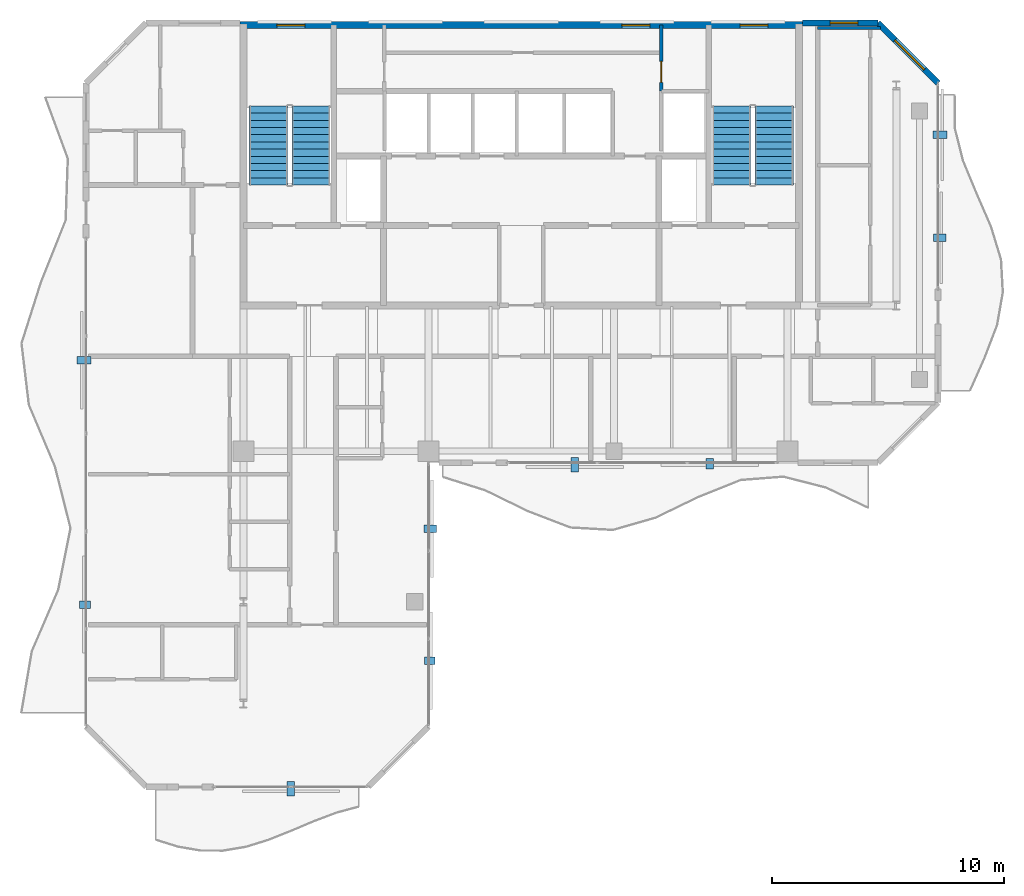
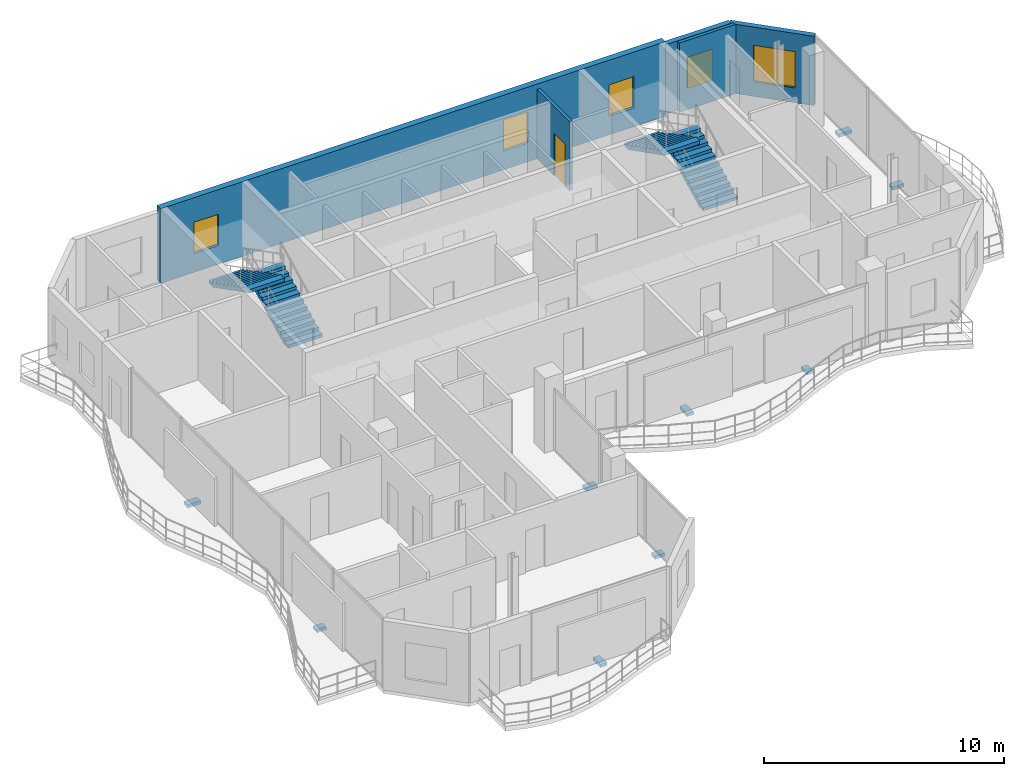
# One storey, part 15 of 17: 9 discrete accessories, 5 walls, 5 windows, 4 stair flights, 1 door, 6 openings, 2 elements without a shape of their own.
"""IFC4 building model written with IfcOpenShell, lengths in metres."""

from ifc_helpers import new_model, si_unit, direction, frame, frame_2d, origin, origin_2d, place, context, subcontext, project, spatial, polyline, rectangle, outline, extrude, material, layer, layer_set, type_object, element, fill, aggregate, save


model = new_model("IFC4")

# Units and contexts
model_context = context("Model", 3, precision=1e-05, world=origin(), true_north=direction((0.0, 1.0)))
body_context = subcontext(model_context, "Body", "Model", "MODEL_VIEW")
ifc_project = project(units=[si_unit("LENGTHUNIT", "METRE"), si_unit("AREAUNIT", "SQUARE_METRE"), si_unit("VOLUMEUNIT", "CUBIC_METRE"), si_unit("PLANEANGLEUNIT", "RADIAN"), si_unit("MASSUNIT", "GRAM", prefix="KILO")], contexts=[model_context])

# Site, building, storey
site_placement = place(None, origin())
site = spatial("IfcSite", under=ifc_project, at=site_placement, CompositionType="ELEMENT")
building_placement = place(site_placement, origin())
building = spatial("IfcBuilding", under=site, at=building_placement, Name="Catumbela Crestline Tower", CompositionType="ELEMENT")
storey_placement = place(building_placement, frame((0.0, 0.0, 267.8)))
storey = spatial("IfcBuildingStorey", under=building, at=storey_placement, Name="L69", CompositionType="ELEMENT", Elevation=267.8)

# Wall, openings, windows
ifc_material_1 = material(Name="Concrete C45/55", Category="concrete")
ifc_layer_1 = layer(ifc_material_1, 0.3, Name="Concrete C45/55")
ifc_layer_set_1 = layer_set([ifc_layer_1], Name="Concrete C45/55")
wall_type_1 = type_object("IfcWallType", Name="CW-300E", PredefinedType="SHEAR", material=ifc_layer_set_1)
wall_1_placement = place(storey_placement, frame((15.85, 42.9, 0.0), z_axis=(0.0, 0.0, 1.0), x_axis=(1.0, 0.0, 0.0)))
wall_1 = element("IfcWall", 1, at=wall_1_placement, inside=storey, type_object=wall_type_1, Name="L69 Structural Core Shear Wall N", PredefinedType="SHEAR", context=body_context, shape_type="SweptSolid", body=[
    extrude(rectangle(XDim=24.3, YDim=0.3, at=frame_2d((12.15, 0.0))), origin(), (0.0, 0.0, 1.0), 3.8),
])
opening_1_placement = place(wall_1_placement, frame((1.6, 0.0, 0.95)))
opening_1 = element("IfcOpeningElement", 2, at=opening_1_placement, cuts=wall_1, Name="Opening WN-02", PredefinedType="OPENING", context=body_context, shape_type="SweptSolid", body=[
    extrude(rectangle(XDim=1.2, YDim=1.6, at=frame_2d((0.6, 0.8))), frame((0.0, 0.16, 0.0), z_axis=(0.0, -1.0, 0.0), x_axis=(1.0, 0.0, 0.0)), (0.0, 0.0, 1.0), 0.32),
])
opening_2_placement = place(wall_1_placement, frame((16.5, 0.0, 0.95)))
opening_2 = element("IfcOpeningElement", 3, at=opening_2_placement, cuts=wall_1, Name="Opening WN-02", PredefinedType="OPENING", context=body_context, shape_type="SweptSolid", body=[
    extrude(rectangle(XDim=1.2, YDim=1.6, at=frame_2d((0.6, 0.8))), frame((0.0, 0.16, 0.0), z_axis=(0.0, -1.0, 0.0), x_axis=(1.0, 0.0, 0.0)), (0.0, 0.0, 1.0), 0.32),
])
opening_3_placement = place(wall_1_placement, frame((21.6, 0.0, 0.95)))
opening_3 = element("IfcOpeningElement", 4, at=opening_3_placement, cuts=wall_1, Name="Opening WN-02", PredefinedType="OPENING", context=body_context, shape_type="SweptSolid", body=[
    extrude(rectangle(XDim=1.2, YDim=1.6, at=frame_2d((0.6, 0.8))), frame((0.0, 0.16, 0.0), z_axis=(0.0, -1.0, 0.0), x_axis=(1.0, 0.0, 0.0)), (0.0, 0.0, 1.0), 0.32),
])
ifc_material_2 = material(Name="Low-E laminated solar-control double glazing", Category="glass")
window_type_1 = type_object("IfcWindowType", Name="WO-1200", PartitioningType="SINGLE_PANEL", PredefinedType="WINDOW", material=ifc_material_2)
window_1_placement = place(opening_1_placement, origin())
window_1 = element("IfcWindow", 5, at=window_1_placement, inside=storey, type_object=window_type_1, Name="L69 North Core Daylight Vision Window 538", OverallHeight=1.6, OverallWidth=1.2, PartitioningType="SINGLE_PANEL", PredefinedType="WINDOW", context=body_context, shape_type="SweptSolid", body=[
    extrude(rectangle(XDim=1.2, YDim=1.6, at=frame_2d((0.6, 0.8))), frame((0.0, 0.03, 0.0), z_axis=(0.0, -1.0, 0.0), x_axis=(1.0, 0.0, 0.0)), (0.0, 0.0, 1.0), 0.06),
])
fill(opening_1, window_1)
window_2_placement = place(opening_2_placement, origin())
window_2 = element("IfcWindow", 6, at=window_2_placement, inside=storey, type_object=window_type_1, Name="L69 North Core Daylight Vision Window 539", OverallHeight=1.6, OverallWidth=1.2, PartitioningType="SINGLE_PANEL", PredefinedType="WINDOW", context=body_context, shape_type="SweptSolid", body=[
    extrude(rectangle(XDim=1.2, YDim=1.6, at=frame_2d((0.6, 0.8))), frame((0.0, 0.03, 0.0), z_axis=(0.0, -1.0, 0.0), x_axis=(1.0, 0.0, 0.0)), (0.0, 0.0, 1.0), 0.06),
])
fill(opening_2, window_2)
window_3_placement = place(opening_3_placement, origin())
window_3 = element("IfcWindow", 7, at=window_3_placement, inside=storey, type_object=window_type_1, Name="L69 North Core Daylight Vision Window 540", OverallHeight=1.6, OverallWidth=1.2, PartitioningType="SINGLE_PANEL", PredefinedType="WINDOW", context=body_context, shape_type="SweptSolid", body=[
    extrude(rectangle(XDim=1.2, YDim=1.6, at=frame_2d((0.6, 0.8))), frame((0.0, 0.03, 0.0), z_axis=(0.0, -1.0, 0.0), x_axis=(1.0, 0.0, 0.0)), (0.0, 0.0, 1.0), 0.06),
])
fill(opening_3, window_3)

# Wall, opening, window
ifc_material_3 = material(Name="Angolan grey-ochre granite", Category="masonry")
ifc_layer_2 = layer(ifc_material_3, 0.25, Name="Angolan grey-ochre granite")
ifc_layer_set_2 = layer_set([ifc_layer_2], Name="Angolan grey-ochre granite")
wall_type_2 = type_object("IfcWallType", Name="WE-250", PredefinedType="STANDARD", material=ifc_layer_set_2)
wall_2_placement = place(storey_placement, frame((46.0, 40.4, 0.0), z_axis=(0.0, 0.0, 1.0), x_axis=(-0.707106781187, 0.707106781187, 0.0)))
wall_2 = element("IfcWall", 8, at=wall_2_placement, inside=storey, type_object=wall_type_2, Name="L69 Granite Punched Window Wall 6-1", PredefinedType="STANDARD", context=body_context, shape_type="SweptSolid", body=[
    extrude(rectangle(XDim=3.677, YDim=0.25, at=frame_2d((1.8385, 0.0))), origin(), (0.0, 0.0, 1.0), 3.53),
])
opening_4_placement = place(wall_2_placement, frame((0.8283, 0.0, 0.75)))
opening_4 = element("IfcOpeningElement", 9, at=opening_4_placement, cuts=wall_2, Name="Opening WN-01", PredefinedType="OPENING", context=body_context, shape_type="SweptSolid", body=[
    extrude(rectangle(XDim=1.8, YDim=1.85, at=frame_2d((0.9, 0.925))), frame((0.0, 0.135, 0.0), z_axis=(0.0, -1.0, 0.0), x_axis=(1.0, 0.0, 0.0)), (0.0, 0.0, 1.0), 0.27),
])
window_type_2 = type_object("IfcWindowType", Name="WF-1800", PartitioningType="SINGLE_PANEL", PredefinedType="WINDOW", material=ifc_material_2)
window_4_placement = place(opening_4_placement, origin())
window_4 = element("IfcWindow", 10, at=window_4_placement, inside=storey, type_object=window_type_2, Name="L69 Facade Vision Window 545", OverallHeight=1.85, OverallWidth=1.8, PartitioningType="SINGLE_PANEL", PredefinedType="WINDOW", context=body_context, shape_type="SweptSolid", body=[
    extrude(rectangle(XDim=1.8, YDim=1.85, at=frame_2d((0.9, 0.925))), frame((0.0, 0.03, 0.0), z_axis=(0.0, -1.0, 0.0), x_axis=(1.0, 0.0, 0.0)), (0.0, 0.0, 1.0), 0.06),
])
fill(opening_4, window_4)

wall_3_placement = place(storey_placement, frame((43.4, 43.0, 0.0), z_axis=(0.0, 0.0, 1.0), x_axis=(-1.0, 0.0, 0.0)))
wall_3 = element("IfcWall", 11, at=wall_3_placement, inside=storey, type_object=wall_type_2, Name="L69 Granite Punched Window Wall 7-1", PredefinedType="STANDARD", context=body_context, shape_type="SweptSolid", body=[
    extrude(rectangle(XDim=3.26, YDim=0.25, at=frame_2d((1.63, 0.0))), origin(), (0.0, 0.0, 1.0), 3.53),
])
opening_5_placement = place(wall_3_placement, frame((0.86, 0.0, 0.85)))
opening_5 = element("IfcOpeningElement", 12, at=opening_5_placement, cuts=wall_3, Name="Opening WN-02", PredefinedType="OPENING", context=body_context, shape_type="SweptSolid", body=[
    extrude(rectangle(XDim=1.2, YDim=1.6, at=frame_2d((0.6, 0.8))), frame((0.0, 0.135, 0.0), z_axis=(0.0, -1.0, 0.0), x_axis=(1.0, 0.0, 0.0)), (0.0, 0.0, 1.0), 0.27),
])
window_5_placement = place(opening_5_placement, origin())
window_5 = element("IfcWindow", 13, at=window_5_placement, inside=storey, type_object=window_type_1, Name="L69 Facade Vision Window 546", OverallHeight=1.6, OverallWidth=1.2, PartitioningType="SINGLE_PANEL", PredefinedType="WINDOW", context=body_context, shape_type="SweptSolid", body=[
    extrude(rectangle(XDim=1.2, YDim=1.6, at=frame_2d((0.6, 0.8))), frame((0.0, 0.03, 0.0), z_axis=(0.0, -1.0, 0.0), x_axis=(1.0, 0.0, 0.0)), (0.0, 0.0, 1.0), 0.06),
])
fill(opening_5, window_5)

# Wall, opening, door
ifc_material_4 = material(Name="Acoustic gypsum and mineral-wool partition")
ifc_layer_3 = layer(ifc_material_4, 0.15, Name="Acoustic gypsum and mineral-wool partition")
ifc_layer_set_3 = layer_set([ifc_layer_3], Name="Acoustic gypsum and mineral-wool partition")
wall_type_3 = type_object("IfcWallType", Name="WP-150", PredefinedType="PARTITIONING", material=ifc_layer_set_3)
wall_4_placement = place(storey_placement, frame((34.05, 40.05, 0.0), z_axis=(0.0, 0.0, 1.0), x_axis=(0.0, 1.0, 0.0)))
wall_4 = element("IfcWall", 14, at=wall_4_placement, inside=storey, type_object=wall_type_3, Name="L69 Interior Partition PW-L69-CR-EW", PredefinedType="PARTITIONING", context=body_context, shape_type="SweptSolid", body=[
    extrude(rectangle(XDim=2.85, YDim=0.15, at=frame_2d((1.425, 0.0))), origin(), (0.0, 0.0, 1.0), 3.53),
])
opening_6_placement = place(wall_4_placement, frame((0.385, 0.0, 0.0)))
opening_6 = element("IfcOpeningElement", 15, at=opening_6_placement, cuts=wall_4, Name="Opening DF9-090", PredefinedType="OPENING", context=body_context, shape_type="SweptSolid", body=[
    extrude(rectangle(XDim=0.9, YDim=2.15, at=frame_2d((0.45, 1.075))), frame((0.0, 0.085, 0.0), z_axis=(0.0, -1.0, 0.0), x_axis=(1.0, 0.0, 0.0)), (0.0, 0.0, 1.0), 0.17),
])
ifc_material_5 = material(Name="Stainless steel EN 1.4401", Category="steel")
door_type = type_object("IfcDoorType", Name="DF9-090", OperationType="NOTDEFINED", PredefinedType="DOOR", material=ifc_material_5)
door_placement = place(opening_6_placement, origin())
door = element("IfcDoor", 16, at=door_placement, inside=storey, type_object=door_type, Name="L69 Interior Door DR-L69-CREAST", OperationType="SINGLE_SWING_RIGHT", OverallHeight=2.15, OverallWidth=0.9, PredefinedType="DOOR", context=body_context, shape_type="SweptSolid", body=[
    extrude(rectangle(XDim=0.9, YDim=2.15, at=frame_2d((0.45, 1.075))), frame((0.0, 0.025, 0.0), z_axis=(0.0, -1.0, 0.0), x_axis=(1.0, 0.0, 0.0)), (0.0, 0.0, 1.0), 0.05),
])
fill(opening_6, door)

# Wall
wall_5_placement = place(storey_placement, frame((40.8, 42.78, 0.0), z_axis=(0.0, 0.0, 1.0), x_axis=(1.0, 0.0, 0.0)))
element("IfcWall", 17, at=wall_5_placement, inside=storey, type_object=wall_type_3, Name="L69 Interior Partition PW-L69-NE1-BTH-BCL-2", PredefinedType="PARTITIONING", context=body_context, shape_type="SweptSolid", body=[
    extrude(rectangle(XDim=2.72, YDim=0.15, at=frame_2d((1.36, 0.0))), origin(), (0.0, 0.0, 1.0), 3.53),
])

# Stair, stair flights
stair_type = type_object("IfcStairType", Name="ST-DLG", PredefinedType="HALF_TURN_STAIR", material=ifc_material_1)
stair_1_placement = place(storey_placement, origin())
stair_1 = element("IfcStair", 18, at=stair_1_placement, inside=storey, type_object=stair_type, Name="L69 West Core Pressurised Exit Stair ST-01", PredefinedType="HALF_TURN_STAIR")
stair_flight_type = type_object("IfcStairFlightType", Name="SF-1583", PredefinedType="STRAIGHT", material=ifc_material_1)
stair_flight_1_placement = place(storey_placement, frame((18.92, 36.0, 0.0), z_axis=(0.0, 0.0, 1.0), x_axis=(0.0, 1.0, 0.0)))
stair_flight_1 = element("IfcStairFlight", 19, at=stair_flight_1_placement, type_object=stair_flight_type, Name="ST-01 flight 1", NumberOfRisers=12, NumberOfTreads=11, PredefinedType="STRAIGHT", RiserHeight=0.158333333, TreadLength=0.31, context=body_context, shape_type="SweptSolid", body=[
    extrude(outline(polyline([(0.0, 0.0), (0.0, 0.1583), (0.31, 0.1583), (0.31, 0.3167), (0.62, 0.3167), (0.62, 0.475), (0.93, 0.475), (0.93, 0.6333), (1.24, 0.6333), (1.24, 0.7917), (1.55, 0.7917), (1.55, 0.95), (1.86, 0.95), (1.86, 1.1083), (2.17, 1.1083), (2.17, 1.2667), (2.48, 1.2667), (2.48, 1.425), (2.79, 1.425), (2.79, 1.5833), (3.1, 1.5833), (3.1, 1.7417), (3.41, 1.7417), (3.41, 1.9), (3.41, 1.562), (0.3518, 0.0), (0.0, 0.0)])), frame((0.0, 0.83, 0.0), z_axis=(0.0, -1.0, 0.0), x_axis=(1.0, 0.0, 0.0)), (0.0, 0.0, 1.0), 1.66),
])
stair_flight_2_placement = place(storey_placement, frame((17.08, 39.41, 1.9), z_axis=(0.0, 0.0, 1.0), x_axis=(0.0, -1.0, 0.0)))
stair_flight_2 = element("IfcStairFlight", 20, at=stair_flight_2_placement, type_object=stair_flight_type, Name="ST-01 flight 2", NumberOfRisers=12, NumberOfTreads=11, PredefinedType="STRAIGHT", RiserHeight=0.158333333, TreadLength=0.31, context=body_context, shape_type="SweptSolid", body=[
    extrude(outline(polyline([(0.0, 0.0), (0.0, 0.1583), (0.31, 0.1583), (0.31, 0.3167), (0.62, 0.3167), (0.62, 0.475), (0.93, 0.475), (0.93, 0.6333), (1.24, 0.6333), (1.24, 0.7917), (1.55, 0.7917), (1.55, 0.95), (1.86, 0.95), (1.86, 1.1083), (2.17, 1.1083), (2.17, 1.2667), (2.48, 1.2667), (2.48, 1.425), (2.79, 1.425), (2.79, 1.5833), (3.1, 1.5833), (3.1, 1.7417), (3.41, 1.7417), (3.41, 1.9), (3.41, 1.562), (0.3518, 0.0), (0.0, 0.0)])), frame((0.0, 0.83, 0.0), z_axis=(0.0, -1.0, 0.0), x_axis=(1.0, 0.0, 0.0)), (0.0, 0.0, 1.0), 1.66),
])
aggregate(stair_1, [stair_flight_1, stair_flight_2])

stair_2_placement = place(storey_placement, origin())
stair_2 = element("IfcStair", 21, at=stair_2_placement, inside=storey, type_object=stair_type, Name="L69 East Core Pressurised Exit Stair ST-02", PredefinedType="HALF_TURN_STAIR")
stair_flight_3_placement = place(storey_placement, frame((38.92, 36.0, 0.0), z_axis=(0.0, 0.0, 1.0), x_axis=(0.0, 1.0, 0.0)))
stair_flight_3 = element("IfcStairFlight", 22, at=stair_flight_3_placement, type_object=stair_flight_type, Name="ST-02 flight 1", NumberOfRisers=12, NumberOfTreads=11, PredefinedType="STRAIGHT", RiserHeight=0.158333333, TreadLength=0.31, context=body_context, shape_type="SweptSolid", body=[
    extrude(outline(polyline([(0.0, 0.0), (0.0, 0.1583), (0.31, 0.1583), (0.31, 0.3167), (0.62, 0.3167), (0.62, 0.475), (0.93, 0.475), (0.93, 0.6333), (1.24, 0.6333), (1.24, 0.7917), (1.55, 0.7917), (1.55, 0.95), (1.86, 0.95), (1.86, 1.1083), (2.17, 1.1083), (2.17, 1.2667), (2.48, 1.2667), (2.48, 1.425), (2.79, 1.425), (2.79, 1.5833), (3.1, 1.5833), (3.1, 1.7417), (3.41, 1.7417), (3.41, 1.9), (3.41, 1.562), (0.3518, 0.0), (0.0, 0.0)])), frame((0.0, 0.83, 0.0), z_axis=(0.0, -1.0, 0.0), x_axis=(1.0, 0.0, 0.0)), (0.0, 0.0, 1.0), 1.66),
])
stair_flight_4_placement = place(storey_placement, frame((37.08, 39.41, 1.9), z_axis=(0.0, 0.0, 1.0), x_axis=(0.0, -1.0, 0.0)))
stair_flight_4 = element("IfcStairFlight", 23, at=stair_flight_4_placement, type_object=stair_flight_type, Name="ST-02 flight 2", NumberOfRisers=12, NumberOfTreads=11, PredefinedType="STRAIGHT", RiserHeight=0.158333333, TreadLength=0.31, context=body_context, shape_type="SweptSolid", body=[
    extrude(outline(polyline([(0.0, 0.0), (0.0, 0.1583), (0.31, 0.1583), (0.31, 0.3167), (0.62, 0.3167), (0.62, 0.475), (0.93, 0.475), (0.93, 0.6333), (1.24, 0.6333), (1.24, 0.7917), (1.55, 0.7917), (1.55, 0.95), (1.86, 0.95), (1.86, 1.1083), (2.17, 1.1083), (2.17, 1.2667), (2.48, 1.2667), (2.48, 1.425), (2.79, 1.425), (2.79, 1.5833), (3.1, 1.5833), (3.1, 1.7417), (3.41, 1.7417), (3.41, 1.9), (3.41, 1.562), (0.3518, 0.0), (0.0, 0.0)])), frame((0.0, 0.83, 0.0), z_axis=(0.0, -1.0, 0.0), x_axis=(1.0, 0.0, 0.0)), (0.0, 0.0, 1.0), 1.66),
])
aggregate(stair_2, [stair_flight_3, stair_flight_4])

# Discrete accessories
discrete_accessory_type = type_object("IfcDiscreteAccessoryType", Name="BK-SS1", PredefinedType="BRACKET", material=ifc_material_5)
discrete_accessory_1_placement = place(storey_placement, frame((18.05, 9.915, -0.18), z_axis=(0.0, 0.0, 1.0), x_axis=(1.0, 0.0, 0.0)))
element("IfcDiscreteAccessory", 24, at=discrete_accessory_1_placement, inside=storey, type_object=discrete_accessory_type, Name="L69 Solar Screen Stainless Bracket 845", PredefinedType="BRACKET", context=body_context, shape_type="SweptSolid", body=[
    extrude(rectangle(XDim=0.32, YDim=0.62, at=origin_2d()), origin(), (0.0, 0.0, 1.0), 0.16),
])
discrete_accessory_2_placement = place(storey_placement, frame((24.045, 15.45, -0.18), z_axis=(0.0, 0.0, 1.0), x_axis=(0.0, 1.0, 0.0)))
element("IfcDiscreteAccessory", 25, at=discrete_accessory_2_placement, inside=storey, type_object=discrete_accessory_type, Name="L69 Solar Screen Stainless Bracket 846", PredefinedType="BRACKET", context=body_context, shape_type="SweptSolid", body=[
    extrude(rectangle(XDim=0.32, YDim=0.46, at=origin_2d()), origin(), (0.0, 0.0, 1.0), 0.16),
])
discrete_accessory_3_placement = place(storey_placement, frame((24.065, 21.15, -0.18), z_axis=(0.0, 0.0, 1.0), x_axis=(0.0, 1.0, 0.0)))
element("IfcDiscreteAccessory", 26, at=discrete_accessory_3_placement, inside=storey, type_object=discrete_accessory_type, Name="L69 Solar Screen Stainless Bracket 847", PredefinedType="BRACKET", context=body_context, shape_type="SweptSolid", body=[
    extrude(rectangle(XDim=0.32, YDim=0.54, at=origin_2d()), origin(), (0.0, 0.0, 1.0), 0.16),
])
discrete_accessory_4_placement = place(storey_placement, frame((30.3125, 23.915, -0.18), z_axis=(0.0, 0.0, 1.0), x_axis=(1.0, 0.0, 0.0)))
element("IfcDiscreteAccessory", 27, at=discrete_accessory_4_placement, inside=storey, type_object=discrete_accessory_type, Name="L69 Solar Screen Stainless Bracket 848", PredefinedType="BRACKET", context=body_context, shape_type="SweptSolid", body=[
    extrude(rectangle(XDim=0.32, YDim=0.62, at=origin_2d()), origin(), (0.0, 0.0, 1.0), 0.16),
])
discrete_accessory_5_placement = place(storey_placement, frame((36.1375, 23.955, -0.18), z_axis=(0.0, 0.0, 1.0), x_axis=(1.0, 0.0, 0.0)))
element("IfcDiscreteAccessory", 28, at=discrete_accessory_5_placement, inside=storey, type_object=discrete_accessory_type, Name="L69 Solar Screen Stainless Bracket 849", PredefinedType="BRACKET", context=body_context, shape_type="SweptSolid", body=[
    extrude(rectangle(XDim=0.32, YDim=0.46, at=origin_2d()), origin(), (0.0, 0.0, 1.0), 0.16),
])
discrete_accessory_6_placement = place(storey_placement, frame((46.065, 33.725, -0.18), z_axis=(0.0, 0.0, 1.0), x_axis=(0.0, 1.0, 0.0)))
element("IfcDiscreteAccessory", 29, at=discrete_accessory_6_placement, inside=storey, type_object=discrete_accessory_type, Name="L69 Solar Screen Stainless Bracket 850", PredefinedType="BRACKET", context=body_context, shape_type="SweptSolid", body=[
    extrude(rectangle(XDim=0.32, YDim=0.54, at=origin_2d()), origin(), (0.0, 0.0, 1.0), 0.16),
])
for number, where, z_axis, x_axis, name in (
    (30, (46.085, 38.175, -0.18), (0.0, 0.0, 1.0), (0.0, 1.0, 0.0), "L69 Solar Screen Stainless Bracket 851"),
    (31, (9.115, 28.425, -0.18), (0.0, 0.0, 1.0), (0.0, -1.0, 0.0), "L69 Solar Screen Stainless Bracket 852"),
):
    element("IfcDiscreteAccessory", number, at=place(storey_placement, frame(where, z_axis=z_axis, x_axis=x_axis)), inside=storey, type_object=discrete_accessory_type, Name=name, PredefinedType="BRACKET", context=body_context, shape_type="SweptSolid", body=[
        extrude(rectangle(XDim=0.32, YDim=0.62, at=origin_2d()), origin(), (0.0, 0.0, 1.0), 0.16),
    ])
discrete_accessory_7_placement = place(storey_placement, frame((9.155, 17.875, -0.18), z_axis=(0.0, 0.0, 1.0), x_axis=(0.0, -1.0, 0.0)))
element("IfcDiscreteAccessory", 32, at=discrete_accessory_7_placement, inside=storey, type_object=discrete_accessory_type, Name="L69 Solar Screen Stainless Bracket 853", PredefinedType="BRACKET", context=body_context, shape_type="SweptSolid", body=[
    extrude(rectangle(XDim=0.32, YDim=0.46, at=origin_2d()), origin(), (0.0, 0.0, 1.0), 0.16),
])

save(model, "model.ifc")
